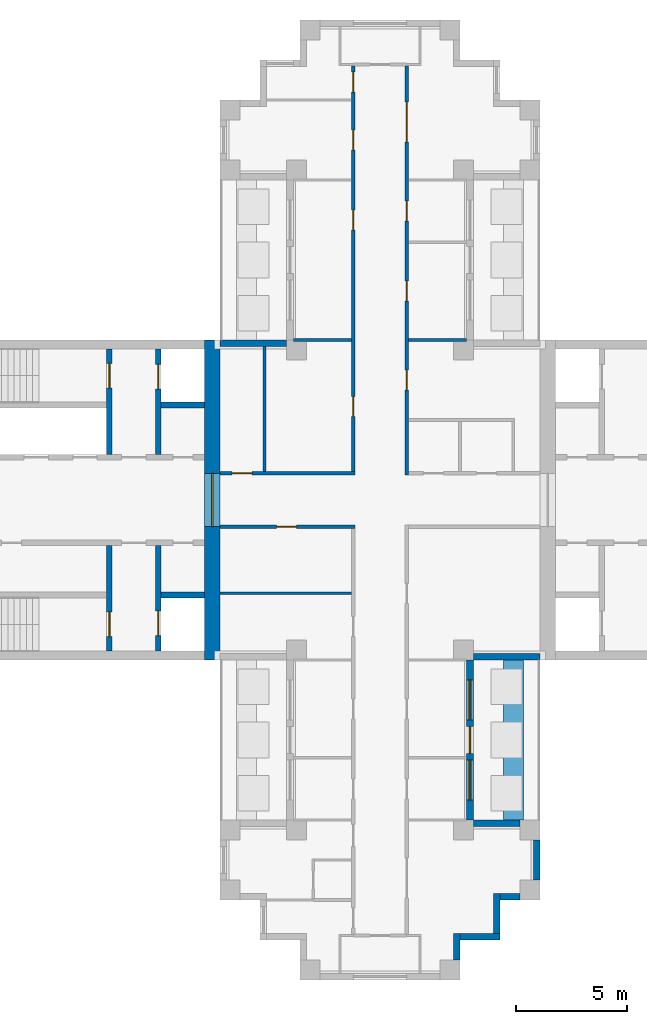
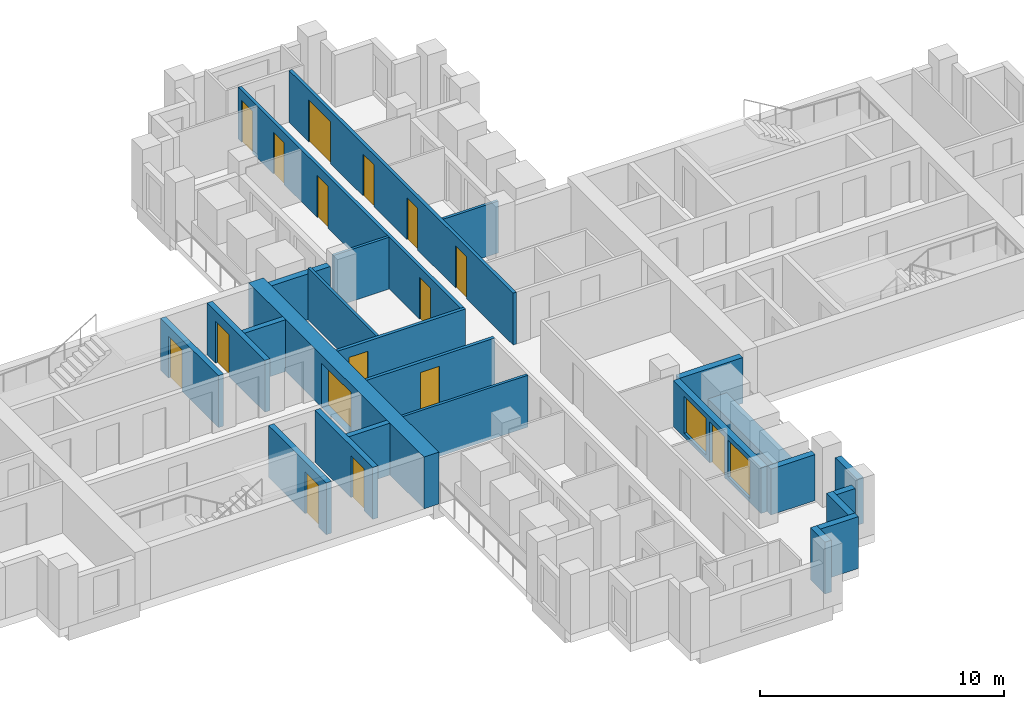
# One storey, part 4 of 9: 25 walls, 16 doors, 2 windows, 18 openings.
"""IFC4 building model written with IfcOpenShell, lengths in metres."""

import ifcopenshell
import ifcopenshell.guid

model = None  # the IFC model being written
_history = None  # IfcOwnerHistory: only IFC2X3 demands one
_inside = {}  # id of a spatial element -> (the spatial element, [elements in it])
_under = {}  # id of a project, library or spatial element -> (it, [spatial elements below it])
_declared = {}  # id of a project -> (the project, [libraries it declares])
_typed = {}  # id of a type object -> (the type object, [elements of that type])
_made_of = {}  # id of a material, layer set ... -> (it, [elements and type objects made of it])


def new_model(schema):
    """Start an empty IFC model of exactly this schema.

    Asked for "IFC4X3", IfcOpenShell would pick the latest addendum, in which some entities
    have other attributes; the version numbers below select the first issue.
    IFC2X3 requires an IfcOwnerHistory on every rooted entity: one is made here for all.
    """
    global model, _history
    if schema == "IFC4X3":
        model = ifcopenshell.file(schema_version=(4, 3, 0, 0))
    else:
        model = ifcopenshell.file(schema=schema)
    _inside.clear()
    _under.clear()
    _declared.clear()
    _typed.clear()
    _made_of.clear()
    _history = None
    if model.schema == "IFC2X3":
        org = make("IfcOrganization", Name="unknown")
        user = make(
            "IfcPersonAndOrganization",
            ThePerson=make("IfcPerson", FamilyName="unknown"),
            TheOrganization=org,
        )
        app = make(
            "IfcApplication",
            ApplicationDeveloper=org,
            Version="unknown",
            ApplicationFullName="unknown",
            ApplicationIdentifier="unknown",
        )
        _history = make(
            "IfcOwnerHistory",
            OwningUser=user,
            OwningApplication=app,
            ChangeAction="ADDED",
            CreationDate=0,
        )
    return model


def make(cls, **values):
    """One entity of the class cls with the attributes given. An attribute that is None is left unset."""
    return model.create_entity(
        cls, **{name: value for name, value in values.items() if value is not None}
    )


def rooted(cls, **values):
    """An entity with a GlobalId (a new one), such as an element, a storey or a relation."""
    return make(cls, GlobalId=ifcopenshell.guid.new(), OwnerHistory=_history, **values)


def si_unit(unit_type, name, prefix=None):
    """IfcSIUnit, for example si_unit("LENGTHUNIT", "METRE", prefix="MILLI")."""
    return make("IfcSIUnit", UnitType=unit_type, Prefix=prefix, Name=name)


def assignment(units):
    """IfcUnitAssignment: the units of a project."""
    return None if units is None else make("IfcUnitAssignment", Units=units)


def point(xyz):
    """IfcCartesianPoint."""
    return None if xyz is None else make("IfcCartesianPoint", Coordinates=xyz)


def direction(xyz):
    """IfcDirection."""
    return None if xyz is None else make("IfcDirection", DirectionRatios=xyz)


def frame(location, z_axis=None, x_axis=None):
    """IfcAxis2Placement3D, a coordinate frame: its origin and axes. An axis left out is left unset."""
    return make(
        "IfcAxis2Placement3D",
        Location=point(location),
        Axis=direction(z_axis),
        RefDirection=direction(x_axis),
    )


def frame_2d(location, x_axis=None):
    """IfcAxis2Placement2D, a coordinate frame in the plane: its origin and x axis."""
    return make(
        "IfcAxis2Placement2D", Location=point(location), RefDirection=direction(x_axis)
    )


def origin():
    """The frame at (0, 0, 0) with its axes left unset."""
    return frame((0.0, 0.0, 0.0))


def place(relative_to, where):
    """IfcLocalPlacement: puts the frame where relative to a parent placement (None: the world)."""
    return make(
        "IfcLocalPlacement", PlacementRelTo=relative_to, RelativePlacement=where
    )


def context(
    kind, dimensions, precision=None, world=None, true_north=None, identifier=None
):
    """IfcGeometricRepresentationContext, for example the 3D "Model" context."""
    return make(
        "IfcGeometricRepresentationContext",
        ContextIdentifier=identifier,
        ContextType=kind,
        CoordinateSpaceDimension=dimensions,
        Precision=precision,
        WorldCoordinateSystem=world,
        TrueNorth=true_north,
    )


def subcontext(parent, identifier, kind, view, scale=None):
    """IfcGeometricRepresentationSubContext, for example "Body" below "Model"."""
    return make(
        "IfcGeometricRepresentationSubContext",
        ContextIdentifier=identifier,
        ContextType=kind,
        ParentContext=parent,
        TargetScale=scale,
        TargetView=view,
    )


def project(units=None, contexts=None):
    """IfcProject with its units and contexts."""
    return rooted(
        "IfcProject",
        Name="project",
        RepresentationContexts=contexts,
        UnitsInContext=assignment(units),
    )


def spatial(cls, under=None, at=None, **own):
    """A site, building, storey or space (cls), placed at a placement, below another one or the project."""
    s = rooted(cls, ObjectPlacement=at, **own)
    if under is not None:
        _under.setdefault(under.id(), (under, []))[1].append(s)
    return s


def profile(cls, at=None, kind="AREA", **sizes):
    """A parametric profile (cls). Its sizes go by their IFC names, for example OverallWidth=200.0."""
    return make(cls, ProfileType=kind, Position=at, **sizes)


def rectangle(**sizes):
    """IfcRectangleProfileDef."""
    return profile("IfcRectangleProfileDef", **sizes)


def extrude(swept, where, along, depth):
    """IfcExtrudedAreaSolid: the profile swept, set in the frame where, extruded along a direction by depth."""
    return make(
        "IfcExtrudedAreaSolid",
        SweptArea=swept,
        Position=where,
        ExtrudedDirection=direction(along),
        Depth=depth,
    )


def shape(context_of_items, identifier, shape_type, items):
    """IfcShapeRepresentation: the items that make up one representation, for example the "Body"."""
    return make(
        "IfcShapeRepresentation",
        ContextOfItems=context_of_items,
        RepresentationIdentifier=identifier,
        RepresentationType=shape_type,
        Items=items,
    )


def material(Name=None, Category=None):
    """IfcMaterial."""
    return make("IfcMaterial", Name=Name, Category=Category)


def layer(
    of_material, thickness, ventilated=None, Name=None, Category=None, Priority=None
):
    """IfcMaterialLayer: one layer of a wall or slab, of a material (None: an air gap)."""
    return make(
        "IfcMaterialLayer",
        Material=of_material,
        LayerThickness=thickness,
        IsVentilated=ventilated,
        Name=Name,
        Category=Category,
        Priority=Priority,
    )


def layer_set(layers, Name=None):
    """IfcMaterialLayerSet."""
    return make("IfcMaterialLayerSet", MaterialLayers=layers, LayerSetName=Name)


def made_of(thing, what):
    """Note that an element or type object is made of a material, layer set ...; save() writes the relation."""
    if what is not None:
        _made_of.setdefault(what.id(), (what, []))[1].append(thing)
    return thing


def type_object(cls, material=None, **own):
    """A type object (cls), such as IfcWallType, which elements share."""
    return made_of(rooted(cls, **own), material)


def element(
    cls,
    number,
    at=None,
    inside=None,
    cuts=None,
    type_object=None,
    material=None,
    context=None,
    identifier="Body",
    shape_type=None,
    held_by="IfcProductDefinitionShape",
    body=None,
    shapes=None,
    **own,
):
    """One element of the class cls, such as IfcWall. Its Tag is "e" and its number.

    at: its placement. inside: the storey or other place that contains it. cuts: it is an
    opening in that element (IfcRelVoidsElement). A single representation is given by context,
    identifier, shape_type and body (its items); several are given by shapes. held_by: the class
    of the entity that holds the representations. save() writes the other relations.
    """
    e = rooted(cls, Tag="e%d" % number, ObjectPlacement=at, **own)
    if body is not None:
        shapes = [shape(context, identifier, shape_type, body)]
    if shapes is not None:
        e.Representation = make(held_by, Representations=shapes)
    if inside is not None:
        _inside.setdefault(inside.id(), (inside, []))[1].append(e)
    if cuts is not None:
        rooted(
            "IfcRelVoidsElement", RelatingBuildingElement=cuts, RelatedOpeningElement=e
        )
    if type_object is not None:
        _typed.setdefault(type_object.id(), (type_object, []))[1].append(e)
    return made_of(e, material)


def fill(opening, filler):
    """IfcRelFillsElement: the door or window that sits in an opening."""
    return rooted(
        "IfcRelFillsElement",
        RelatingOpeningElement=opening,
        RelatedBuildingElement=filler,
    )


def aggregate(whole, parts):
    """IfcRelAggregates: a whole, such as a stair, and the parts it consists of."""
    return rooted("IfcRelAggregates", RelatingObject=whole, RelatedObjects=parts)


def save(model, path):
    """Write the relations noted so far, then the file.

    IfcRelAggregates (storeys below a building ...), IfcRelContainedInSpatialStructure (elements
    in a storey), IfcRelDefinesByType, IfcRelAssociatesMaterial and IfcRelDeclares: one each for
    every whole, place, type object, material and project.
    """
    for whole, parts in _under.values():
        aggregate(whole, parts)
    for where, things in _inside.values():
        rooted(
            "IfcRelContainedInSpatialStructure",
            RelatedElements=things,
            RelatingStructure=where,
        )
    for kind, things in _typed.values():
        rooted("IfcRelDefinesByType", RelatedObjects=things, RelatingType=kind)
    for what, things in _made_of.values():
        rooted("IfcRelAssociatesMaterial", RelatedObjects=things, RelatingMaterial=what)
    for by, libraries in _declared.values():
        rooted("IfcRelDeclares", RelatingContext=by, RelatedDefinitions=libraries)
    model.write(path)


model = new_model("IFC4")

# Units and contexts
model_context = context("Model", 3, precision=1e-05, world=origin(), true_north=direction((0.0, 1.0)))
body_context = subcontext(model_context, "Body", "Model", "MODEL_VIEW")
ifc_project = project(units=[si_unit("LENGTHUNIT", "METRE"), si_unit("AREAUNIT", "SQUARE_METRE"), si_unit("VOLUMEUNIT", "CUBIC_METRE"), si_unit("PLANEANGLEUNIT", "RADIAN"), si_unit("MASSUNIT", "GRAM", prefix="KILO")], contexts=[model_context])

# Site, building, storey
site_placement = place(None, origin())
site = spatial("IfcSite", under=ifc_project, at=site_placement, CompositionType="ELEMENT")
building_placement = place(site_placement, origin())
building = spatial("IfcBuilding", under=site, at=building_placement, Name="Fustian Cross Tower", CompositionType="ELEMENT")
storey_placement = place(building_placement, frame((0.0, 0.0, 219.89990234375)))
storey = spatial("IfcBuildingStorey", under=building, at=storey_placement, Name="L69", CompositionType="ELEMENT", Elevation=219.89990234375)

# Wall, opening, door
ifc_material_1 = material(Name="Plasterboard on steel stud", Category="steel")
ifc_layer_1 = layer(ifc_material_1, 0.14990234375)
ifc_layer_set_1 = layer_set([ifc_layer_1], Name="Plasterboard on steel stud")
wall_type_1 = type_object("IfcWallType", Name="COMPARTMENT WALL 150 EI 60", PredefinedType="PARTITIONING", material=ifc_layer_set_1)
wall_1_placement = place(storey_placement, frame((-7.199951171875, -1.199951171875, 0.0), z_axis=(0.0, 0.0, 1.0), x_axis=(1.0, 0.0, 0.0)))
wall_1 = element("IfcWall", 1, at=wall_1_placement, inside=storey, type_object=wall_type_1, Name="Partition 12", PredefinedType="PARTITIONING", context=body_context, shape_type="SweptSolid", body=[
    extrude(rectangle(XDim=6.074951171875, YDim=0.14990234375, at=frame_2d((3.03759765625, 0.0))), origin(), (0.0, 0.0, 1.0), 2.60009765625),
])
opening_1_placement = place(wall_1_placement, frame((2.550048828125, 0.0, 0.0)))
opening_1 = element("IfcOpeningElement", 2, at=opening_1_placement, cuts=wall_1, Name="Opening D31007", PredefinedType="OPENING", context=body_context, shape_type="SweptSolid", body=[
    extrude(rectangle(XDim=0.89990234375, YDim=2.10009765625, at=frame_2d((0.449951171875, 1.050048828125))), frame((0.0, 0.0849609375, 0.0), z_axis=(0.0, -1.0, 0.0), x_axis=(1.0, 0.0, 0.0)), (0.0, 0.0, 1.0), 0.169921875),
])
ifc_material_2 = material(Name="Timber fire door set", Category="wood")
door_type_1 = type_object("IfcDoorType", Name="FIRE SWING DOOR 900 FD30S", OperationType="SINGLE_SWING_LEFT", PredefinedType="DOOR", material=ifc_material_2)
door_1_placement = place(opening_1_placement, frame((0.89990234375, 0.0, 0.0), z_axis=(0.0, 0.0, 1.0), x_axis=(-1.0, 0.0, 0.0)))
door_1 = element("IfcDoor", 3, at=door_1_placement, inside=storey, type_object=door_type_1, Name="Door D31007", OperationType="SINGLE_SWING_RIGHT", OverallHeight=2.10009765625, OverallWidth=0.89990234375, PredefinedType="DOOR", context=body_context, shape_type="SweptSolid", body=[
    extrude(rectangle(XDim=0.89990234375, YDim=2.10009765625, at=frame_2d((0.449951171875, 1.050048828125))), frame((0.0, 0.02490234375, 0.0), z_axis=(0.0, -1.0, 0.0), x_axis=(1.0, 0.0, 0.0)), (0.0, 0.0, 1.0), 0.050048828125),
])
fill(opening_1, door_1)

wall_2_placement = place(storey_placement, frame((-7.199951171875, 1.199951171875, 0.0), z_axis=(0.0, 0.0, 1.0), x_axis=(1.0, 0.0, 0.0)))
wall_2 = element("IfcWall", 4, at=wall_2_placement, inside=storey, type_object=wall_type_1, Name="Partition 13", PredefinedType="PARTITIONING", context=body_context, shape_type="SweptSolid", body=[
    extrude(rectangle(XDim=6.074951171875, YDim=0.14990234375, at=frame_2d((3.03759765625, 0.0))), origin(), (0.0, 0.0, 1.0), 2.60009765625),
])
opening_2_placement = place(wall_2_placement, frame((0.550048828125, 0.0, 0.0)))
opening_2 = element("IfcOpeningElement", 5, at=opening_2_placement, cuts=wall_2, Name="Opening D31005", PredefinedType="OPENING", context=body_context, shape_type="SweptSolid", body=[
    extrude(rectangle(XDim=0.89990234375, YDim=2.10009765625, at=frame_2d((0.449951171875, 1.050048828125))), frame((0.0, 0.0849609375, 0.0), z_axis=(0.0, -1.0, 0.0), x_axis=(1.0, 0.0, 0.0)), (0.0, 0.0, 1.0), 0.169921875),
])
door_2_placement = place(opening_2_placement, origin())
door_2 = element("IfcDoor", 6, at=door_2_placement, inside=storey, type_object=door_type_1, Name="Door D31005", OperationType="SINGLE_SWING_LEFT", OverallHeight=2.10009765625, OverallWidth=0.89990234375, PredefinedType="DOOR", context=body_context, shape_type="SweptSolid", body=[
    extrude(rectangle(XDim=0.89990234375, YDim=2.10009765625, at=frame_2d((0.449951171875, 1.050048828125))), frame((0.0, 0.02490234375, 0.0), z_axis=(0.0, -1.0, 0.0), x_axis=(1.0, 0.0, 0.0)), (0.0, 0.0, 1.0), 0.050048828125),
])
fill(opening_2, door_2)

# Wall, openings, doors
wall_3_placement = place(storey_placement, frame((-1.199951171875, 1.27490234375, 0.0), z_axis=(0.0, 0.0, 1.0), x_axis=(0.0, 1.0, 0.0)))
wall_3 = element("IfcWall", 7, at=wall_3_placement, inside=storey, type_object=wall_type_1, Name="Partition 31", PredefinedType="PARTITIONING", context=body_context, shape_type="SweptSolid", body=[
    extrude(rectangle(XDim=18.25, YDim=0.14990234375, at=frame_2d((9.125, 0.0))), origin(), (0.0, 0.0, 1.0), 2.60009765625),
])
opening_3_placement = place(wall_3_placement, frame((2.47509765625, 0.0, 0.0)))
opening_3 = element("IfcOpeningElement", 8, at=opening_3_placement, cuts=wall_3, Name="Opening D31004", PredefinedType="OPENING", context=body_context, shape_type="SweptSolid", body=[
    extrude(rectangle(XDim=0.89990234375, YDim=2.10009765625, at=frame_2d((0.449951171875, 1.050048828125))), frame((0.0, 0.0849609375, 0.0), z_axis=(0.0, -1.0, 0.0), x_axis=(1.0, 0.0, 0.0)), (0.0, 0.0, 1.0), 0.169921875),
])
opening_4_placement = place(wall_3_placement, frame((10.875, 0.0, 0.0)))
opening_4 = element("IfcOpeningElement", 9, at=opening_4_placement, cuts=wall_3, Name="Opening D31016", PredefinedType="OPENING", context=body_context, shape_type="SweptSolid", body=[
    extrude(rectangle(XDim=0.89990234375, YDim=2.10009765625, at=frame_2d((0.449951171875, 1.050048828125))), frame((0.0, 0.0849609375, 0.0), z_axis=(0.0, -1.0, 0.0), x_axis=(1.0, 0.0, 0.0)), (0.0, 0.0, 1.0), 0.169921875),
])
opening_5_placement = place(wall_3_placement, frame((14.47509765625, 0.0, 0.0)))
opening_5 = element("IfcOpeningElement", 10, at=opening_5_placement, cuts=wall_3, Name="Opening D31017", PredefinedType="OPENING", context=body_context, shape_type="SweptSolid", body=[
    extrude(rectangle(XDim=0.89990234375, YDim=2.10009765625, at=frame_2d((0.449951171875, 1.050048828125))), frame((0.0, 0.0849609375, 0.0), z_axis=(0.0, -1.0, 0.0), x_axis=(1.0, 0.0, 0.0)), (0.0, 0.0, 1.0), 0.169921875),
])
opening_6_placement = place(wall_3_placement, frame((17.074951171875, 0.0, 0.0)))
opening_6 = element("IfcOpeningElement", 11, at=opening_6_placement, cuts=wall_3, Name="Opening D31018", PredefinedType="OPENING", context=body_context, shape_type="SweptSolid", body=[
    extrude(rectangle(XDim=0.89990234375, YDim=2.10009765625, at=frame_2d((0.449951171875, 1.050048828125))), frame((0.0, 0.0849609375, 0.0), z_axis=(0.0, -1.0, 0.0), x_axis=(1.0, 0.0, 0.0)), (0.0, 0.0, 1.0), 0.169921875),
])
door_3_placement = place(opening_3_placement, origin())
door_3 = element("IfcDoor", 12, at=door_3_placement, inside=storey, type_object=door_type_1, Name="Door D31004", OperationType="SINGLE_SWING_LEFT", OverallHeight=2.10009765625, OverallWidth=0.89990234375, PredefinedType="DOOR", context=body_context, shape_type="SweptSolid", body=[
    extrude(rectangle(XDim=0.89990234375, YDim=2.10009765625, at=frame_2d((0.449951171875, 1.050048828125))), frame((0.0, 0.02490234375, 0.0), z_axis=(0.0, -1.0, 0.0), x_axis=(1.0, 0.0, 0.0)), (0.0, 0.0, 1.0), 0.050048828125),
])
fill(opening_3, door_3)
door_4_placement = place(opening_4_placement, origin())
door_4 = element("IfcDoor", 13, at=door_4_placement, inside=storey, type_object=door_type_1, Name="Door D31016", OperationType="SINGLE_SWING_RIGHT", OverallHeight=2.10009765625, OverallWidth=0.89990234375, PredefinedType="DOOR", context=body_context, shape_type="SweptSolid", body=[
    extrude(rectangle(XDim=0.89990234375, YDim=2.10009765625, at=frame_2d((0.449951171875, 1.050048828125))), frame((0.0, 0.02490234375, 0.0), z_axis=(0.0, -1.0, 0.0), x_axis=(1.0, 0.0, 0.0)), (0.0, 0.0, 1.0), 0.050048828125),
])
fill(opening_4, door_4)
door_5_placement = place(opening_5_placement, origin())
door_5 = element("IfcDoor", 14, at=door_5_placement, inside=storey, type_object=door_type_1, Name="Door D31017", OperationType="SINGLE_SWING_LEFT", OverallHeight=2.10009765625, OverallWidth=0.89990234375, PredefinedType="DOOR", context=body_context, shape_type="SweptSolid", body=[
    extrude(rectangle(XDim=0.89990234375, YDim=2.10009765625, at=frame_2d((0.449951171875, 1.050048828125))), frame((0.0, 0.02490234375, 0.0), z_axis=(0.0, -1.0, 0.0), x_axis=(1.0, 0.0, 0.0)), (0.0, 0.0, 1.0), 0.050048828125),
])
fill(opening_5, door_5)
door_6_placement = place(opening_6_placement, origin())
door_6 = element("IfcDoor", 15, at=door_6_placement, inside=storey, type_object=door_type_1, Name="Door D31018", OperationType="SINGLE_SWING_LEFT", OverallHeight=2.10009765625, OverallWidth=0.89990234375, PredefinedType="DOOR", context=body_context, shape_type="SweptSolid", body=[
    extrude(rectangle(XDim=0.89990234375, YDim=2.10009765625, at=frame_2d((0.449951171875, 1.050048828125))), frame((0.0, 0.02490234375, 0.0), z_axis=(0.0, -1.0, 0.0), x_axis=(1.0, 0.0, 0.0)), (0.0, 0.0, 1.0), 0.050048828125),
])
fill(opening_6, door_6)

wall_4_placement = place(storey_placement, frame((1.199951171875, 1.125, 0.0), z_axis=(0.0, 0.0, 1.0), x_axis=(0.0, 1.0, 0.0)))
wall_4 = element("IfcWall", 16, at=wall_4_placement, inside=storey, type_object=wall_type_1, Name="Partition 39", PredefinedType="PARTITIONING", context=body_context, shape_type="SweptSolid", body=[
    extrude(rectangle(XDim=18.39990234375, YDim=0.14990234375, at=frame_2d((9.199951171875, 0.0))), origin(), (0.0, 0.0, 1.0), 2.60009765625),
])
opening_7_placement = place(wall_4_placement, frame((3.824951171875, 0.0, 0.0)))
opening_7 = element("IfcOpeningElement", 17, at=opening_7_placement, cuts=wall_4, Name="Opening D31003", PredefinedType="OPENING", context=body_context, shape_type="SweptSolid", body=[
    extrude(rectangle(XDim=0.89990234375, YDim=2.10009765625, at=frame_2d((0.449951171875, 1.050048828125))), frame((0.0, 0.0849609375, 0.0), z_axis=(0.0, -1.0, 0.0), x_axis=(1.0, 0.0, 0.0)), (0.0, 0.0, 1.0), 0.169921875),
])
opening_8_placement = place(wall_4_placement, frame((11.425048828125, 0.0, 0.0)))
opening_8 = element("IfcOpeningElement", 18, at=opening_8_placement, cuts=wall_4, Name="Opening D31019", PredefinedType="OPENING", context=body_context, shape_type="SweptSolid", body=[
    extrude(rectangle(XDim=0.89990234375, YDim=2.10009765625, at=frame_2d((0.449951171875, 1.050048828125))), frame((0.0, 0.0849609375, 0.0), z_axis=(0.0, -1.0, 0.0), x_axis=(1.0, 0.0, 0.0)), (0.0, 0.0, 1.0), 0.169921875),
])
opening_9_placement = place(wall_4_placement, frame((7.824951171875, 0.0, 0.0)))
opening_9 = element("IfcOpeningElement", 19, at=opening_9_placement, cuts=wall_4, Name="Opening D31020", PredefinedType="OPENING", context=body_context, shape_type="SweptSolid", body=[
    extrude(rectangle(XDim=0.89990234375, YDim=2.10009765625, at=frame_2d((0.449951171875, 1.050048828125))), frame((0.0, 0.0849609375, 0.0), z_axis=(0.0, -1.0, 0.0), x_axis=(1.0, 0.0, 0.0)), (0.0, 0.0, 1.0), 0.169921875),
])
opening_10_placement = place(wall_4_placement, frame((14.97509765625, 0.0, 0.0)))
opening_10 = element("IfcOpeningElement", 20, at=opening_10_placement, cuts=wall_4, Name="Opening D31021", PredefinedType="OPENING", context=body_context, shape_type="SweptSolid", body=[
    extrude(rectangle(XDim=1.800048828125, YDim=2.10009765625, at=frame_2d((0.89990234375, 1.050048828125))), frame((0.0, 0.0849609375, 0.0), z_axis=(0.0, -1.0, 0.0), x_axis=(1.0, 0.0, 0.0)), (0.0, 0.0, 1.0), 0.169921875),
])
ifc_material_3 = material(Name="Timber fire door set", Category="wood")
door_type_2 = type_object("IfcDoorType", Name="FIRE DOUBLE DOOR 1800 FD30S", OperationType="DOUBLE_DOOR_DOUBLE_SWING", PredefinedType="DOOR", material=ifc_material_3)
door_7_placement = place(opening_10_placement, origin())
door_7 = element("IfcDoor", 21, at=door_7_placement, inside=storey, type_object=door_type_2, Name="Door D31021", OperationType="DOUBLE_DOOR_DOUBLE_SWING", OverallHeight=2.10009765625, OverallWidth=1.800048828125, PredefinedType="DOOR", context=body_context, shape_type="SweptSolid", body=[
    extrude(rectangle(XDim=1.800048828125, YDim=2.10009765625, at=frame_2d((0.89990234375, 1.050048828125))), frame((0.0, 0.02490234375, 0.0), z_axis=(0.0, -1.0, 0.0), x_axis=(1.0, 0.0, 0.0)), (0.0, 0.0, 1.0), 0.050048828125),
])
fill(opening_10, door_7)
door_8_placement = place(opening_7_placement, frame((0.89990234375, 0.0, 0.0), z_axis=(0.0, 0.0, 1.0), x_axis=(-1.0, 0.0, 0.0)))
door_8 = element("IfcDoor", 22, at=door_8_placement, inside=storey, type_object=door_type_1, Name="Door D31003", OperationType="SINGLE_SWING_RIGHT", OverallHeight=2.10009765625, OverallWidth=0.89990234375, PredefinedType="DOOR", context=body_context, shape_type="SweptSolid", body=[
    extrude(rectangle(XDim=0.89990234375, YDim=2.10009765625, at=frame_2d((0.449951171875, 1.050048828125))), frame((0.0, 0.02490234375, 0.0), z_axis=(0.0, -1.0, 0.0), x_axis=(1.0, 0.0, 0.0)), (0.0, 0.0, 1.0), 0.050048828125),
])
fill(opening_7, door_8)
door_9_placement = place(opening_8_placement, frame((0.89990234375, 0.0, 0.0), z_axis=(0.0, 0.0, 1.0), x_axis=(-1.0, 0.0, 0.0)))
door_9 = element("IfcDoor", 23, at=door_9_placement, inside=storey, type_object=door_type_1, Name="Door D31019", OperationType="SINGLE_SWING_RIGHT", OverallHeight=2.10009765625, OverallWidth=0.89990234375, PredefinedType="DOOR", context=body_context, shape_type="SweptSolid", body=[
    extrude(rectangle(XDim=0.89990234375, YDim=2.10009765625, at=frame_2d((0.449951171875, 1.050048828125))), frame((0.0, 0.02490234375, 0.0), z_axis=(0.0, -1.0, 0.0), x_axis=(1.0, 0.0, 0.0)), (0.0, 0.0, 1.0), 0.050048828125),
])
fill(opening_8, door_9)
door_10_placement = place(opening_9_placement, frame((0.89990234375, 0.0, 0.0), z_axis=(0.0, 0.0, 1.0), x_axis=(-1.0, 0.0, 0.0)))
door_10 = element("IfcDoor", 24, at=door_10_placement, inside=storey, type_object=door_type_1, Name="Door D31020", OperationType="SINGLE_SWING_RIGHT", OverallHeight=2.10009765625, OverallWidth=0.89990234375, PredefinedType="DOOR", context=body_context, shape_type="SweptSolid", body=[
    extrude(rectangle(XDim=0.89990234375, YDim=2.10009765625, at=frame_2d((0.449951171875, 1.050048828125))), frame((0.0, 0.02490234375, 0.0), z_axis=(0.0, -1.0, 0.0), x_axis=(1.0, 0.0, 0.0)), (0.0, 0.0, 1.0), 0.050048828125),
])
fill(opening_9, door_10)

# Wall, opening, door
ifc_material_4 = material(Name="Concrete C50/60", Category="concrete")
ifc_layer_2 = layer(ifc_material_4, 0.699951171875)
ifc_layer_set_2 = layer_set([ifc_layer_2], Name="Concrete C50/60")
wall_type_2 = type_object("IfcWallType", Name="CORE END WALL 700 C50/60", PredefinedType="SHEAR", material=ifc_layer_set_2)
wall_5_placement = place(storey_placement, frame((-7.550048828125, -7.199951171875, 0.0), z_axis=(0.0, 0.0, 1.0), x_axis=(0.0, 1.0, 0.0)))
wall_5 = element("IfcWall", 25, at=wall_5_placement, inside=storey, type_object=wall_type_2, Name="Core end wall", PredefinedType="SHEAR", context=body_context, shape_type="SweptSolid", body=[
    extrude(rectangle(XDim=14.39990234375, YDim=0.699951171875, at=frame_2d((7.199951171875, 0.0))), origin(), (0.0, 0.0, 1.0), 2.60009765625),
])
opening_11_placement = place(wall_5_placement, frame((6.0, 0.0, 0.0)))
opening_11 = element("IfcOpeningElement", 26, at=opening_11_placement, cuts=wall_5, Name="Opening CD-29-27", PredefinedType="OPENING", context=body_context, shape_type="SweptSolid", body=[
    extrude(rectangle(XDim=2.39990234375, YDim=2.199951171875, at=frame_2d((1.199951171875, 1.10009765625))), frame((0.0, 0.35986328125, 0.0), z_axis=(0.0, -1.0, 0.0), x_axis=(1.0, 0.0, 0.0)), (0.0, 0.0, 1.0), 0.719970703125),
])
ifc_material_5 = material(Name="Steel", Category="steel")
door_type_3 = type_object("IfcDoorType", Name="FIRE DOOR FD30S DOUBLE 2400X2200", OperationType="DOUBLE_DOOR_DOUBLE_SWING", PredefinedType="DOOR", material=ifc_material_5)
door_11_placement = place(opening_11_placement, origin())
door_11 = element("IfcDoor", 27, at=door_11_placement, inside=storey, type_object=door_type_3, Name="Core door CD-29-27", OperationType="DOUBLE_DOOR_DOUBLE_SWING", OverallHeight=2.199951171875, OverallWidth=2.39990234375, PredefinedType="DOOR", context=body_context, shape_type="SweptSolid", body=[
    extrude(rectangle(XDim=2.39990234375, YDim=2.199951171875, at=frame_2d((1.199951171875, 1.10009765625))), frame((0.0, 0.02490234375, 0.0), z_axis=(0.0, -1.0, 0.0), x_axis=(1.0, 0.0, 0.0)), (0.0, 0.0, 1.0), 0.050048828125),
])
fill(opening_11, door_11)

# Wall
ifc_material_6 = material(Name="Concrete C50/60", Category="concrete")
ifc_layer_3 = layer(ifc_material_6, 0.25)
ifc_layer_set_3 = layer_set([ifc_layer_3], Name="Concrete C50/60")
wall_type_3 = type_object("IfcWallType", Name="CORE SHAFT WALL 250 C50/60", PredefinedType="SHEAR", material=ifc_layer_set_3)
wall_6_placement = place(storey_placement, frame((-7.89990234375, 4.27490234375, 0.0), z_axis=(0.0, 0.0, 1.0), x_axis=(-1.0, 0.0, 0.0)))
element("IfcWall", 28, at=wall_6_placement, inside=storey, type_object=wall_type_3, Name="Core shaft wall", PredefinedType="SHEAR", context=body_context, shape_type="SweptSolid", body=[
    extrude(rectangle(XDim=1.9501953125, YDim=0.25, at=frame_2d((0.97509765625, 0.0))), origin(), (0.0, 0.0, 1.0), 2.60009765625),
])

# Wall, opening, door
wall_7_placement = place(storey_placement, frame((-9.97509765625, 2.050048828125, 0.0), z_axis=(0.0, 0.0, 1.0), x_axis=(0.0, 1.0, 0.0)))
wall_7 = element("IfcWall", 29, at=wall_7_placement, inside=storey, type_object=wall_type_3, Name="Core shaft wall", PredefinedType="SHEAR", context=body_context, shape_type="SweptSolid", body=[
    extrude(rectangle(XDim=4.75, YDim=0.25, at=frame_2d((2.375, 0.0))), origin(), (0.0, 0.0, 1.0), 2.60009765625),
])
opening_12_placement = place(wall_7_placement, frame((2.949951171875, 0.0, 0.0)))
opening_12 = element("IfcOpeningElement", 30, at=opening_12_placement, cuts=wall_7, Name="Opening LD", PredefinedType="OPENING", context=body_context, shape_type="SweptSolid", body=[
    extrude(rectangle(XDim=1.10009765625, YDim=2.10009765625, at=frame_2d((0.550048828125, 1.050048828125))), frame((0.0, 0.135009765625, 0.0), z_axis=(0.0, -1.0, 0.0), x_axis=(1.0, 0.0, 0.0)), (0.0, 0.0, 1.0), 0.27001953125),
])
ifc_material_7 = material(Name="Stainless steel", Category="steel")
door_type_4 = type_object("IfcDoorType", Name="LIFT LANDING DOOR 1100X2100", OperationType="SLIDING_TO_LEFT", PredefinedType="DOOR", material=ifc_material_7)
door_12_placement = place(opening_12_placement, origin())
door_12 = element("IfcDoor", 31, at=door_12_placement, inside=storey, type_object=door_type_4, Name="Landing door FL1W", OperationType="SLIDING_TO_LEFT", OverallHeight=2.10009765625, OverallWidth=1.10009765625, PredefinedType="DOOR", context=body_context, shape_type="SweptSolid", body=[
    extrude(rectangle(XDim=1.10009765625, YDim=2.10009765625, at=frame_2d((0.550048828125, 1.050048828125))), frame((0.0, 0.02490234375, 0.0), z_axis=(0.0, -1.0, 0.0), x_axis=(1.0, 0.0, 0.0)), (0.0, 0.0, 1.0), 0.050048828125),
])
fill(opening_12, door_12)

wall_8_placement = place(storey_placement, frame((-12.175048828125, 2.050048828125, 0.0), z_axis=(0.0, 0.0, 1.0), x_axis=(0.0, 1.0, 0.0)))
wall_8 = element("IfcWall", 32, at=wall_8_placement, inside=storey, type_object=wall_type_3, Name="Core shaft wall", PredefinedType="SHEAR", context=body_context, shape_type="SweptSolid", body=[
    extrude(rectangle(XDim=4.75, YDim=0.25, at=frame_2d((2.375, 0.0))), origin(), (0.0, 0.0, 1.0), 2.60009765625),
])
opening_13_placement = place(wall_8_placement, frame((3.0, 0.0, 0.0)))
opening_13 = element("IfcOpeningElement", 33, at=opening_13_placement, cuts=wall_8, Name="Opening CD-29-21", PredefinedType="OPENING", context=body_context, shape_type="SweptSolid", body=[
    extrude(rectangle(XDim=1.10009765625, YDim=2.10009765625, at=frame_2d((0.550048828125, 1.050048828125))), frame((0.0, 0.135009765625, 0.0), z_axis=(0.0, -1.0, 0.0), x_axis=(1.0, 0.0, 0.0)), (0.0, 0.0, 1.0), 0.27001953125),
])
ifc_material_8 = material(Name="Steel", Category="steel")
door_type_5 = type_object("IfcDoorType", Name="FIRE DOOR FD60S 1100X2100", OperationType="SINGLE_SWING_LEFT", PredefinedType="DOOR", material=ifc_material_8)
door_13_placement = place(opening_13_placement, origin())
door_13 = element("IfcDoor", 34, at=door_13_placement, inside=storey, type_object=door_type_5, Name="Core door CD-29-21", OperationType="SINGLE_SWING_LEFT", OverallHeight=2.10009765625, OverallWidth=1.10009765625, PredefinedType="DOOR", context=body_context, shape_type="SweptSolid", body=[
    extrude(rectangle(XDim=1.10009765625, YDim=2.10009765625, at=frame_2d((0.550048828125, 1.050048828125))), frame((0.0, 0.02490234375, 0.0), z_axis=(0.0, -1.0, 0.0), x_axis=(1.0, 0.0, 0.0)), (0.0, 0.0, 1.0), 0.050048828125),
])
fill(opening_13, door_13)

# Wall
wall_9_placement = place(storey_placement, frame((-7.89990234375, -4.27490234375, 0.0), z_axis=(0.0, 0.0, 1.0), x_axis=(-1.0, 0.0, 0.0)))
element("IfcWall", 35, at=wall_9_placement, inside=storey, type_object=wall_type_3, Name="Core shaft wall", PredefinedType="SHEAR", context=body_context, shape_type="SweptSolid", body=[
    extrude(rectangle(XDim=1.9501953125, YDim=0.25, at=frame_2d((0.97509765625, 0.0))), origin(), (0.0, 0.0, 1.0), 2.60009765625),
])

# Wall, opening, door
wall_10_placement = place(storey_placement, frame((-9.97509765625, -2.050048828125, 0.0), z_axis=(0.0, 0.0, 1.0), x_axis=(0.0, -1.0, 0.0)))
wall_10 = element("IfcWall", 36, at=wall_10_placement, inside=storey, type_object=wall_type_3, Name="Core shaft wall", PredefinedType="SHEAR", context=body_context, shape_type="SweptSolid", body=[
    extrude(rectangle(XDim=4.75, YDim=0.25, at=frame_2d((2.375, 0.0))), origin(), (0.0, 0.0, 1.0), 2.60009765625),
])
opening_14_placement = place(wall_10_placement, frame((2.949951171875, 0.0, 0.0)))
opening_14 = element("IfcOpeningElement", 37, at=opening_14_placement, cuts=wall_10, Name="Opening LD", PredefinedType="OPENING", context=body_context, shape_type="SweptSolid", body=[
    extrude(rectangle(XDim=1.10009765625, YDim=2.10009765625, at=frame_2d((0.550048828125, 1.050048828125))), frame((0.0, 0.135009765625, 0.0), z_axis=(0.0, -1.0, 0.0), x_axis=(1.0, 0.0, 0.0)), (0.0, 0.0, 1.0), 0.27001953125),
])
door_14_placement = place(opening_14_placement, origin())
door_14 = element("IfcDoor", 38, at=door_14_placement, inside=storey, type_object=door_type_4, Name="Landing door SV1W", OperationType="SLIDING_TO_LEFT", OverallHeight=2.10009765625, OverallWidth=1.10009765625, PredefinedType="DOOR", context=body_context, shape_type="SweptSolid", body=[
    extrude(rectangle(XDim=1.10009765625, YDim=2.10009765625, at=frame_2d((0.550048828125, 1.050048828125))), frame((0.0, 0.02490234375, 0.0), z_axis=(0.0, -1.0, 0.0), x_axis=(1.0, 0.0, 0.0)), (0.0, 0.0, 1.0), 0.050048828125),
])
fill(opening_14, door_14)

wall_11_placement = place(storey_placement, frame((-12.175048828125, -2.050048828125, 0.0), z_axis=(0.0, 0.0, 1.0), x_axis=(0.0, -1.0, 0.0)))
wall_11 = element("IfcWall", 39, at=wall_11_placement, inside=storey, type_object=wall_type_3, Name="Core shaft wall", PredefinedType="SHEAR", context=body_context, shape_type="SweptSolid", body=[
    extrude(rectangle(XDim=4.75, YDim=0.25, at=frame_2d((2.375, 0.0))), origin(), (0.0, 0.0, 1.0), 2.60009765625),
])
opening_15_placement = place(wall_11_placement, frame((3.0, 0.0, 0.0)))
opening_15 = element("IfcOpeningElement", 40, at=opening_15_placement, cuts=wall_11, Name="Opening CD-29-22", PredefinedType="OPENING", context=body_context, shape_type="SweptSolid", body=[
    extrude(rectangle(XDim=1.10009765625, YDim=2.10009765625, at=frame_2d((0.550048828125, 1.050048828125))), frame((0.0, 0.135009765625, 0.0), z_axis=(0.0, -1.0, 0.0), x_axis=(1.0, 0.0, 0.0)), (0.0, 0.0, 1.0), 0.27001953125),
])
door_15_placement = place(opening_15_placement, frame((1.10009765625, 0.0, 0.0), z_axis=(0.0, 0.0, 1.0), x_axis=(-1.0, 0.0, 0.0)))
door_15 = element("IfcDoor", 41, at=door_15_placement, inside=storey, type_object=door_type_5, Name="Core door CD-29-22", OperationType="SINGLE_SWING_RIGHT", OverallHeight=2.10009765625, OverallWidth=1.10009765625, PredefinedType="DOOR", context=body_context, shape_type="SweptSolid", body=[
    extrude(rectangle(XDim=1.10009765625, YDim=2.10009765625, at=frame_2d((0.550048828125, 1.050048828125))), frame((0.0, 0.02490234375, 0.0), z_axis=(0.0, -1.0, 0.0), x_axis=(1.0, 0.0, 0.0)), (0.0, 0.0, 1.0), 0.050048828125),
])
fill(opening_15, door_15)

# Walls
ifc_material_9 = material(Name="Concrete C40/50", Category="concrete")
ifc_layer_4 = layer(ifc_material_9, 0.89990234375)
ifc_layer_set_4 = layer_set([ifc_layer_4], Name="Concrete C40/50")
wall_type_4 = type_object("IfcWallType", Name="PK1 PLANTER 900", PredefinedType="PARAPET", material=ifc_layer_set_4)
wall_12_placement = place(storey_placement, frame((6.0, -14.39990234375, 0.0), z_axis=(0.0, 0.0, 1.0), x_axis=(0.0, 1.0, 0.0)))
element("IfcWall", 42, at=wall_12_placement, inside=storey, type_object=wall_type_4, Name="PLANTER", PredefinedType="PARAPET", context=body_context, shape_type="SweptSolid", body=[
    extrude(rectangle(XDim=7.199951171875, YDim=0.89990234375, at=frame_2d((3.60009765625, 0.0))), origin(), (0.0, 0.0, 1.0), 0.800048828125),
])
ifc_material_10 = material(Name="Plasterboard on steel stud", Category="steel")
ifc_layer_5 = layer(ifc_material_10, 0.125)
ifc_layer_set_5 = layer_set([ifc_layer_5], Name="Plasterboard on steel stud")
wall_type_5 = type_object("IfcWallType", Name="WET WALL 125 STUD", PredefinedType="PARTITIONING", material=ifc_layer_set_5)
wall_13_placement = place(storey_placement, frame((-7.199951171875, -4.199951171875, 0.0), z_axis=(0.0, 0.0, 1.0), x_axis=(1.0, 0.0, 0.0)))
element("IfcWall", 43, at=wall_13_placement, inside=storey, type_object=wall_type_5, Name="Partition 11", PredefinedType="PARTITIONING", context=body_context, shape_type="SweptSolid", body=[
    extrude(rectangle(XDim=5.925048828125, YDim=0.125, at=frame_2d((2.96240234375, 0.0))), origin(), (0.0, 0.0, 1.0), 2.60009765625),
])
wall_14_placement = place(storey_placement, frame((-5.199951171875, 1.27490234375, 0.0), z_axis=(0.0, 0.0, 1.0), x_axis=(0.0, 1.0, 0.0)))
element("IfcWall", 44, at=wall_14_placement, inside=storey, type_object=wall_type_5, Name="Partition 14", PredefinedType="PARTITIONING", context=body_context, shape_type="SweptSolid", body=[
    extrude(rectangle(XDim=5.625, YDim=0.125, at=frame_2d((2.8125, 0.0))), origin(), (0.0, 0.0, 1.0), 2.60009765625),
])
for number, where, z_axis, x_axis, name in (
    (45, (-3.89990234375, 7.199951171875, 0.0), (0.0, 0.0, 1.0), (1.0, 0.0, 0.0), "Partition 20"),
    (46, (1.27490234375, 7.199951171875, 0.0), (0.0, 0.0, 1.0), (1.0, 0.0, 0.0), "Partition 42"),
):
    element("IfcWall", number, at=place(storey_placement, frame(where, z_axis=z_axis, x_axis=x_axis)), inside=storey, type_object=wall_type_5, Name=name, PredefinedType="PARTITIONING", context=body_context, shape_type="SweptSolid", body=[
        extrude(rectangle(XDim=2.625, YDim=0.125, at=frame_2d((1.3125, 0.0))), origin(), (0.0, 0.0, 1.0), 2.60009765625),
    ])
ifc_material_11 = material(Name="Dark aluminium cladding on insulated backing wall", Category="aluminium")
ifc_layer_6 = layer(ifc_material_11, 0.300048828125)
ifc_layer_set_6 = layer_set([ifc_layer_6], Name="Dark aluminium cladding on insulated backing wall")
wall_type_6 = type_object("IfcWallType", Name="XW1 EXTERNAL WALL 300", PredefinedType="SOLIDWALL", material=ifc_layer_set_6)
wall_15_placement = place(storey_placement, frame((-4.199951171875, 7.050048828125, 0.0), z_axis=(0.0, 0.0, 1.0), x_axis=(-1.0, 0.0, 0.0)))
element("IfcWall", 47, at=wall_15_placement, inside=storey, type_object=wall_type_6, Name="External wall", PredefinedType="SOLIDWALL", context=body_context, shape_type="SweptSolid", body=[
    extrude(rectangle(XDim=3.0, YDim=0.300048828125, at=frame_2d((1.5, 0.0))), origin(), (0.0, 0.0, 1.0), 2.300048828125),
])
wall_16_placement = place(storey_placement, frame((3.449951171875, -20.699951171875, 0.0), z_axis=(0.0, 0.0, 1.0), x_axis=(0.0, 1.0, 0.0)))
element("IfcWall", 48, at=wall_16_placement, inside=storey, type_object=wall_type_6, Name="External wall", PredefinedType="SOLIDWALL", context=body_context, shape_type="SweptSolid", body=[
    extrude(rectangle(XDim=1.199951171875, YDim=0.300048828125, at=frame_2d((0.60009765625, 0.0))), origin(), (0.0, 0.0, 1.0), 2.60009765625),
])
wall_17_placement = place(storey_placement, frame((3.60009765625, -19.64990234375, 0.0), z_axis=(0.0, 0.0, 1.0), x_axis=(1.0, 0.0, 0.0)))
element("IfcWall", 49, at=wall_17_placement, inside=storey, type_object=wall_type_6, Name="External wall", PredefinedType="SOLIDWALL", context=body_context, shape_type="SweptSolid", body=[
    extrude(rectangle(XDim=1.7998046875, YDim=0.300048828125, at=frame_2d((0.89990234375, 0.0))), origin(), (0.0, 0.0, 1.0), 2.60009765625),
])
wall_18_placement = place(storey_placement, frame((5.25, -19.5, 0.0), z_axis=(0.0, 0.0, 1.0), x_axis=(0.0, 1.0, 0.0)))
element("IfcWall", 50, at=wall_18_placement, inside=storey, type_object=wall_type_6, Name="External wall", PredefinedType="SOLIDWALL", context=body_context, shape_type="SweptSolid", body=[
    extrude(rectangle(XDim=1.800048828125, YDim=0.300048828125, at=frame_2d((0.89990234375, 0.0))), origin(), (0.0, 0.0, 1.0), 2.60009765625),
])
wall_19_placement = place(storey_placement, frame((5.39990234375, -17.85009765625, 0.0), z_axis=(0.0, 0.0, 1.0), x_axis=(1.0, 0.0, 0.0)))
element("IfcWall", 51, at=wall_19_placement, inside=storey, type_object=wall_type_6, Name="External wall", PredefinedType="SOLIDWALL", context=body_context, shape_type="SweptSolid", body=[
    extrude(rectangle(XDim=0.900146484375, YDim=0.300048828125, at=frame_2d((0.4501953125, 0.0))), origin(), (0.0, 0.0, 1.0), 2.60009765625),
])
wall_20_placement = place(storey_placement, frame((7.050048828125, -17.10009765625, 0.0), z_axis=(0.0, 0.0, 1.0), x_axis=(0.0, 1.0, 0.0)))
element("IfcWall", 52, at=wall_20_placement, inside=storey, type_object=wall_type_6, Name="External wall", PredefinedType="SOLIDWALL", context=body_context, shape_type="SweptSolid", body=[
    extrude(rectangle(XDim=1.800048828125, YDim=0.300048828125, at=frame_2d((0.89990234375, 0.0))), origin(), (0.0, 0.0, 1.0), 2.300048828125),
])
wall_21_placement = place(storey_placement, frame((6.300048828125, -14.550048828125, 0.0), z_axis=(0.0, 0.0, 1.0), x_axis=(-1.0, 0.0, 0.0)))
element("IfcWall", 53, at=wall_21_placement, inside=storey, type_object=wall_type_6, Name="External wall", PredefinedType="SOLIDWALL", context=body_context, shape_type="SweptSolid", body=[
    extrude(rectangle(XDim=2.10009765625, YDim=0.300048828125, at=frame_2d((1.050048828125, 0.0))), origin(), (0.0, 0.0, 1.0), 2.300048828125),
])

# Wall, openings, door, windows
wall_22_placement = place(storey_placement, frame((4.050048828125, -14.39990234375, 0.0), z_axis=(0.0, 0.0, 1.0), x_axis=(0.0, 1.0, 0.0)))
wall_22 = element("IfcWall", 54, at=wall_22_placement, inside=storey, type_object=wall_type_6, Name="External wall", PredefinedType="SOLIDWALL", context=body_context, shape_type="SweptSolid", body=[
    extrude(rectangle(XDim=7.199951171875, YDim=0.300048828125, at=frame_2d((3.60009765625, 0.0))), origin(), (0.0, 0.0, 1.0), 2.300048828125),
])
opening_16_placement = place(wall_22_placement, frame((3.0, 0.0, 0.0)))
opening_16 = element("IfcOpeningElement", 55, at=opening_16_placement, cuts=wall_22, Name="Opening XD3", PredefinedType="OPENING", context=body_context, shape_type="SweptSolid", body=[
    extrude(rectangle(XDim=1.199951171875, YDim=2.050048828125, at=frame_2d((0.60009765625, 1.02490234375))), frame((0.0, 0.159912109375, 0.0), z_axis=(0.0, -1.0, 0.0), x_axis=(1.0, 0.0, 0.0)), (0.0, 0.0, 1.0), 0.320068359375),
])
opening_17_placement = place(wall_22_placement, frame((0.89990234375, 0.0, 0.199951171875)))
opening_17 = element("IfcOpeningElement", 56, at=opening_17_placement, cuts=wall_22, Name="Opening WN2", PredefinedType="OPENING", context=body_context, shape_type="SweptSolid", body=[
    extrude(rectangle(XDim=1.800048828125, YDim=1.85009765625, at=frame_2d((0.89990234375, 0.925048828125))), frame((0.0, 0.159912109375, 0.0), z_axis=(0.0, -1.0, 0.0), x_axis=(1.0, 0.0, 0.0)), (0.0, 0.0, 1.0), 0.320068359375),
])
opening_18_placement = place(wall_22_placement, frame((4.5, 0.0, 0.199951171875)))
opening_18 = element("IfcOpeningElement", 57, at=opening_18_placement, cuts=wall_22, Name="Opening WN2", PredefinedType="OPENING", context=body_context, shape_type="SweptSolid", body=[
    extrude(rectangle(XDim=1.800048828125, YDim=1.85009765625, at=frame_2d((0.89990234375, 0.925048828125))), frame((0.0, 0.159912109375, 0.0), z_axis=(0.0, -1.0, 0.0), x_axis=(1.0, 0.0, 0.0)), (0.0, 0.0, 1.0), 0.320068359375),
])
ifc_material_12 = material(Name="Dark anodised aluminium and double glazing", Category="aluminium")
door_type_6 = type_object("IfcDoorType", Name="ED1 BALCONY DOOR 1200X2050", OperationType="SINGLE_SWING_LEFT", PredefinedType="DOOR", material=ifc_material_12)
door_16_placement = place(opening_16_placement, origin())
door_16 = element("IfcDoor", 58, at=door_16_placement, inside=storey, type_object=door_type_6, Name="Balcony door", OperationType="SINGLE_SWING_LEFT", OverallHeight=2.050048828125, OverallWidth=1.199951171875, PredefinedType="DOOR", context=body_context, shape_type="SweptSolid", body=[
    extrude(rectangle(XDim=1.199951171875, YDim=2.050048828125, at=frame_2d((0.60009765625, 1.02490234375))), frame((0.0, 0.02490234375, 0.0), z_axis=(0.0, -1.0, 0.0), x_axis=(1.0, 0.0, 0.0)), (0.0, 0.0, 1.0), 0.050048828125),
])
fill(opening_16, door_16)
ifc_material_13 = material(Name="Dark anodised aluminium and double glazing", Category="aluminium")
window_type = type_object("IfcWindowType", Name="WN2 WINDOW 1800X1850", PartitioningType="SINGLE_PANEL", PredefinedType="WINDOW", material=ifc_material_13)
window_1_placement = place(opening_17_placement, origin())
window_1 = element("IfcWindow", 59, at=window_1_placement, inside=storey, type_object=window_type, Name="Window", OverallHeight=1.85009765625, OverallWidth=1.800048828125, PartitioningType="SINGLE_PANEL", PredefinedType="WINDOW", context=body_context, shape_type="SweptSolid", body=[
    extrude(rectangle(XDim=1.800048828125, YDim=1.85009765625, at=frame_2d((0.89990234375, 0.925048828125))), frame((0.0, 0.030029296875, 0.0), z_axis=(0.0, -1.0, 0.0), x_axis=(1.0, 0.0, 0.0)), (0.0, 0.0, 1.0), 0.06005859375),
])
fill(opening_17, window_1)
window_2_placement = place(opening_18_placement, origin())
window_2 = element("IfcWindow", 60, at=window_2_placement, inside=storey, type_object=window_type, Name="Window", OverallHeight=1.85009765625, OverallWidth=1.800048828125, PartitioningType="SINGLE_PANEL", PredefinedType="WINDOW", context=body_context, shape_type="SweptSolid", body=[
    extrude(rectangle(XDim=1.800048828125, YDim=1.85009765625, at=frame_2d((0.89990234375, 0.925048828125))), frame((0.0, 0.030029296875, 0.0), z_axis=(0.0, -1.0, 0.0), x_axis=(1.0, 0.0, 0.0)), (0.0, 0.0, 1.0), 0.06005859375),
])
fill(opening_18, window_2)

# Wall
wall_23_placement = place(storey_placement, frame((4.199951171875, -7.050048828125, 0.0), z_axis=(0.0, 0.0, 1.0), x_axis=(1.0, 0.0, 0.0)))
element("IfcWall", 61, at=wall_23_placement, inside=storey, type_object=wall_type_6, Name="External wall", PredefinedType="SOLIDWALL", context=body_context, shape_type="SweptSolid", body=[
    extrude(rectangle(XDim=3.0, YDim=0.300048828125, at=frame_2d((1.5, 0.0))), origin(), (0.0, 0.0, 1.0), 2.300048828125),
])

save(model, "model.ifc")
